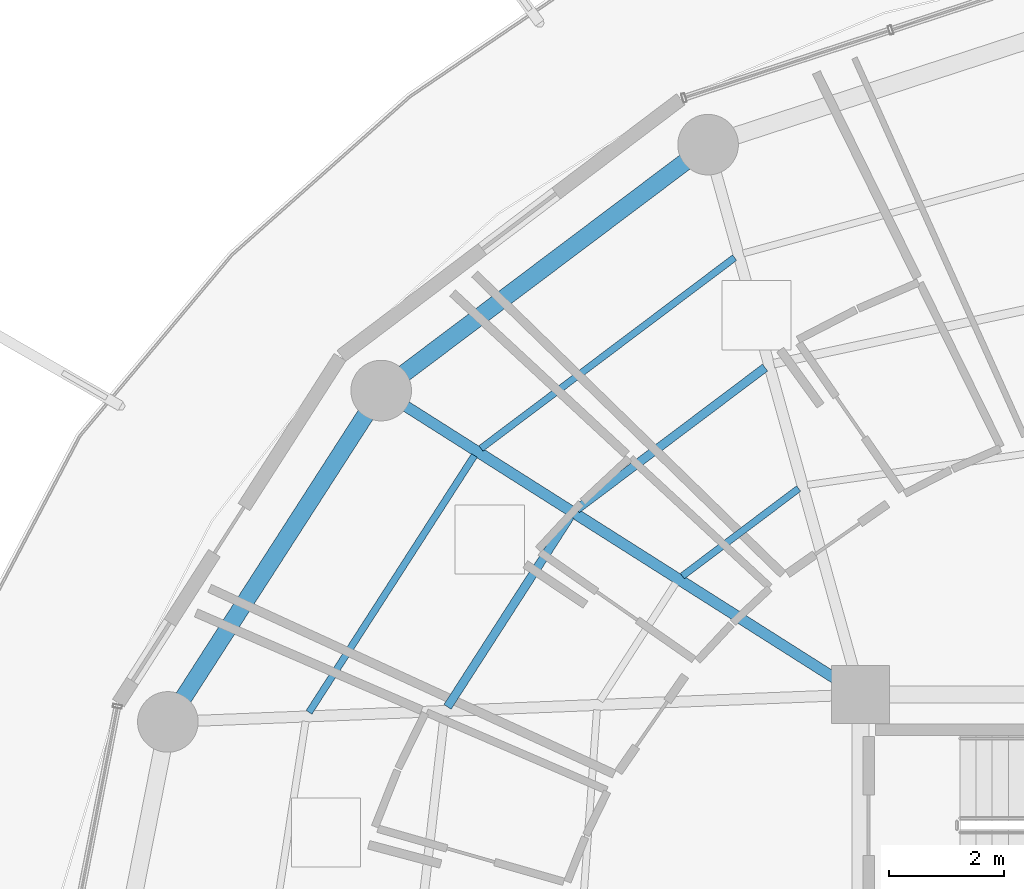
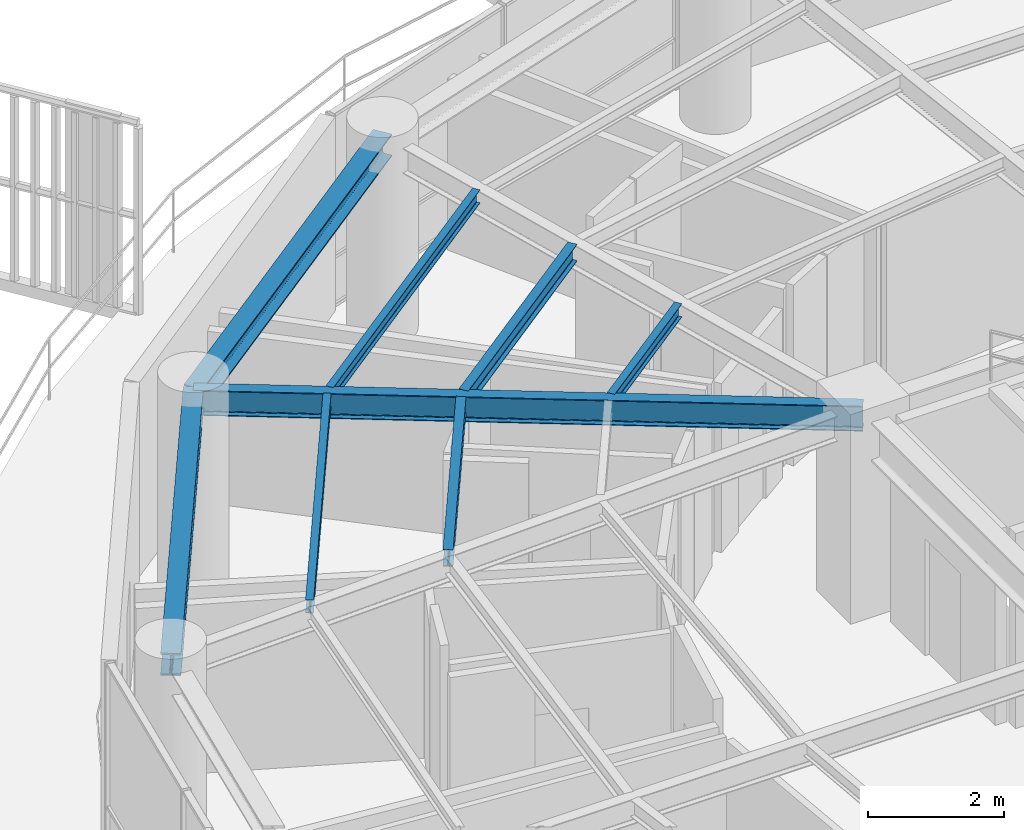
# One storey, part 17 of 31: 8 beams.
"""IFC4 building model written with IfcOpenShell, lengths in metres."""

from ifc_helpers import new_model, si_unit, direction, frame, origin, origin_2d, place, context, subcontext, project, spatial, i_section, extrude, material, material_profile, profile_set, type_object, element, save


model = new_model("IFC4")

# Units and contexts
model_context = context("Model", 3, precision=1e-05, world=origin(), true_north=direction((0.0, 1.0)))
body_context = subcontext(model_context, "Body", "Model", "MODEL_VIEW")
ifc_project = project(units=[si_unit("LENGTHUNIT", "METRE"), si_unit("AREAUNIT", "SQUARE_METRE"), si_unit("VOLUMEUNIT", "CUBIC_METRE"), si_unit("PLANEANGLEUNIT", "RADIAN"), si_unit("MASSUNIT", "GRAM", prefix="KILO")], contexts=[model_context])

# Site, building, storey
site_placement = place(None, origin())
site = spatial("IfcSite", under=ifc_project, at=site_placement, CompositionType="ELEMENT")
building_placement = place(site_placement, origin())
building = spatial("IfcBuilding", under=site, at=building_placement, Name="Kelanora Arch Commons", CompositionType="ELEMENT")
storey_placement = place(building_placement, frame((0.0, 0.0, 223.199951171875)))
storey = spatial("IfcBuildingStorey", under=building, at=storey_placement, Name="L57", CompositionType="ELEMENT", Elevation=223.199951171875)

# Beams
ifc_material = material(Name="Steel S355", Category="steel")
ifc_material_profile_1 = material_profile(ifc_material, i_section(OverallWidth=0.14990234375, OverallDepth=0.300048828125, WebThickness=0.007080078125, FlangeThickness=0.0107421875, FilletRadius=0.014892578125, at=origin_2d()), Name="IPE300")
ifc_profile_set_1 = profile_set([ifc_material_profile_1], Name="Steel S355")
beam_type_1 = type_object("IfcBeamType", Name="BM-JST-01", PredefinedType="JOIST", material=ifc_profile_set_1)
beam_1_placement = place(storey_placement, frame((64.34814453125, 70.6630859375, 3.340087890625), z_axis=(-0.799101708656, -0.601195857624, 0.0), x_axis=(0.601195857624, -0.799101708656, 0.0)))
element("IfcBeam", 1, at=beam_1_placement, inside=storey, type_object=beam_type_1, Name="Secondary Chord Joist BJB-12 L57", PredefinedType="JOIST", context=body_context, shape_type="SweptSolid", body=[
    extrude(i_section(OverallWidth=0.14990234375, OverallDepth=0.300048828125, WebThickness=0.007080078125, FlangeThickness=0.0107421875, FilletRadius=0.014892578125, at=origin_2d()), origin(), (0.0, 0.0, 1.0), 4.080810546875),
])
beam_2_placement = place(storey_placement, frame((60.97314453125, 68.087158203125, 3.340087890625), z_axis=(-0.541411265892, -0.840757896879, 0.0), x_axis=(0.840757896879, -0.541411265892, 0.0)))
element("IfcBeam", 2, at=beam_2_placement, inside=storey, type_object=beam_type_1, Name="Secondary Chord Joist BJB-14 L57", PredefinedType="JOIST", context=body_context, shape_type="SweptSolid", body=[
    extrude(i_section(OverallWidth=0.14990234375, OverallDepth=0.300048828125, WebThickness=0.007080078125, FlangeThickness=0.0107421875, FilletRadius=0.014892578125, at=origin_2d()), origin(), (0.0, 0.0, 1.0), 3.92529296875),
])
ifc_material_profile_2 = material_profile(ifc_material, i_section(OverallWidth=0.1201171875, OverallDepth=0.239990234375, WebThickness=0.006103515625, FlangeThickness=0.009765625, FilletRadius=0.014892578125, at=origin_2d()), Name="IPE240")
ifc_profile_set_2 = profile_set([ifc_material_profile_2], Name="Steel S355")
beam_type_2 = type_object("IfcBeamType", Name="BM-JST-02", PredefinedType="JOIST", material=ifc_profile_set_2)
beam_3_placement = place(storey_placement, frame((64.928955078125, 68.56787109375, 3.3701171875), z_axis=(-0.79911638933, -0.601176343766, 0.0), x_axis=(0.601176343766, -0.79911638933, 0.0)))
element("IfcBeam", 3, at=beam_3_placement, inside=storey, type_object=beam_type_2, Name="Secondary Chord Joist BJA-12 L57", PredefinedType="JOIST", context=body_context, shape_type="SweptSolid", body=[
    extrude(i_section(OverallWidth=0.1201171875, OverallDepth=0.239990234375, WebThickness=0.006103515625, FlangeThickness=0.009765625, FilletRadius=0.014892578125, at=origin_2d()), origin(), (0.0, 0.0, 1.0), 2.522216796875),
])
beam_4_placement = place(storey_placement, frame((63.820068359375, 72.56787109375, 3.3701171875), z_axis=(-0.799109197935, -0.601185902842, 0.0), x_axis=(0.601185902842, -0.799109197935, 0.0)))
element("IfcBeam", 4, at=beam_4_placement, inside=storey, type_object=beam_type_2, Name="Secondary Chord Joist BJC-12 L57", PredefinedType="JOIST", context=body_context, shape_type="SweptSolid", body=[
    extrude(i_section(OverallWidth=0.1201171875, OverallDepth=0.239990234375, WebThickness=0.006103515625, FlangeThickness=0.009765625, FilletRadius=0.014892578125, at=origin_2d()), origin(), (0.0, 0.0, 1.0), 5.497802734375),
])
beam_5_placement = place(storey_placement, frame((59.31298828125, 69.14013671875, 3.3701171875), z_axis=(-0.541382492679, -0.840776424872, 0.0), x_axis=(0.840776424872, -0.541382492679, 0.0)))
element("IfcBeam", 5, at=beam_5_placement, inside=storey, type_object=beam_type_2, Name="Secondary Chord Joist BJC-14 L57", PredefinedType="JOIST", context=body_context, shape_type="SweptSolid", body=[
    extrude(i_section(OverallWidth=0.1201171875, OverallDepth=0.239990234375, WebThickness=0.006103515625, FlangeThickness=0.009765625, FilletRadius=0.014892578125, at=origin_2d()), origin(), (0.0, 0.0, 1.0), 5.29052734375),
])
ifc_material_profile_3 = material_profile(ifc_material, i_section(OverallWidth=0.18994140625, OverallDepth=0.449951171875, WebThickness=0.009521484375, FlangeThickness=0.0146484375, FilletRadius=0.02099609375, at=origin_2d()), Name="IPE450")
ifc_profile_set_3 = profile_set([ifc_material_profile_3], Name="Steel S355")
beam_type_3 = type_object("IfcBeamType", Name="BM-RAD-Z4", PredefinedType="BEAM", material=ifc_profile_set_3)
beam_6_placement = place(storey_placement, frame((66.0, 65.0, 3.26513671875), z_axis=(-0.844507208607, 0.535544185489, 0.0), x_axis=(-0.535544185489, -0.844507208607, 0.0)))
element("IfcBeam", 6, at=beam_6_placement, inside=storey, type_object=beam_type_3, Name="Radial Floor Girder BR-14 L57", PredefinedType="BEAM", context=body_context, shape_type="SweptSolid", body=[
    extrude(i_section(OverallWidth=0.18994140625, OverallDepth=0.449951171875, WebThickness=0.009521484375, FlangeThickness=0.0146484375, FilletRadius=0.02099609375, at=origin_2d()), origin(), (0.0, 0.0, 1.0), 9.830078125),
])
ifc_material_profile_4 = material_profile(ifc_material, i_section(OverallWidth=0.300048828125, OverallDepth=0.39990234375, WebThickness=0.013427734375, FlangeThickness=0.02392578125, FilletRadius=0.027099609375, at=origin_2d()), Name="HEB400")
ifc_profile_set_4 = profile_set([ifc_material_profile_4], Name="Steel S355")
beam_type_4 = type_object("IfcBeamType", Name="BM-SPN-Z4", PredefinedType="SPANDREL", material=ifc_profile_set_4)
beam_7_placement = place(storey_placement, frame((63.360107421875, 74.523681640625, 3.2900390625), z_axis=(-0.799114211715, -0.60117923836, 0.0), x_axis=(0.60117923836, -0.799114211715, 0.0)))
element("IfcBeam", 7, at=beam_7_placement, inside=storey, type_object=beam_type_4, Name="Perimeter Spandrel Beam BS-12 L57", PredefinedType="SPANDREL", context=body_context, shape_type="SweptSolid", body=[
    extrude(i_section(OverallWidth=0.300048828125, OverallDepth=0.39990234375, WebThickness=0.013427734375, FlangeThickness=0.02392578125, FilletRadius=0.027099609375, at=origin_2d()), origin(), (0.0, 0.0, 1.0), 7.0849609375),
])
beam_8_placement = place(storey_placement, frame((57.698486328125, 70.264404296875, 3.2900390625), z_axis=(-0.541364878868, -0.840787766281, 0.0), x_axis=(0.840787766281, -0.541364878868, 0.0)))
element("IfcBeam", 8, at=beam_8_placement, inside=storey, type_object=beam_type_4, Name="Perimeter Spandrel Beam BS-14 L57", PredefinedType="SPANDREL", context=body_context, shape_type="SweptSolid", body=[
    extrude(i_section(OverallWidth=0.300048828125, OverallDepth=0.39990234375, WebThickness=0.013427734375, FlangeThickness=0.02392578125, FilletRadius=0.027099609375, at=origin_2d()), origin(), (0.0, 0.0, 1.0), 6.825439453125),
])

save(model, "model.ifc")
